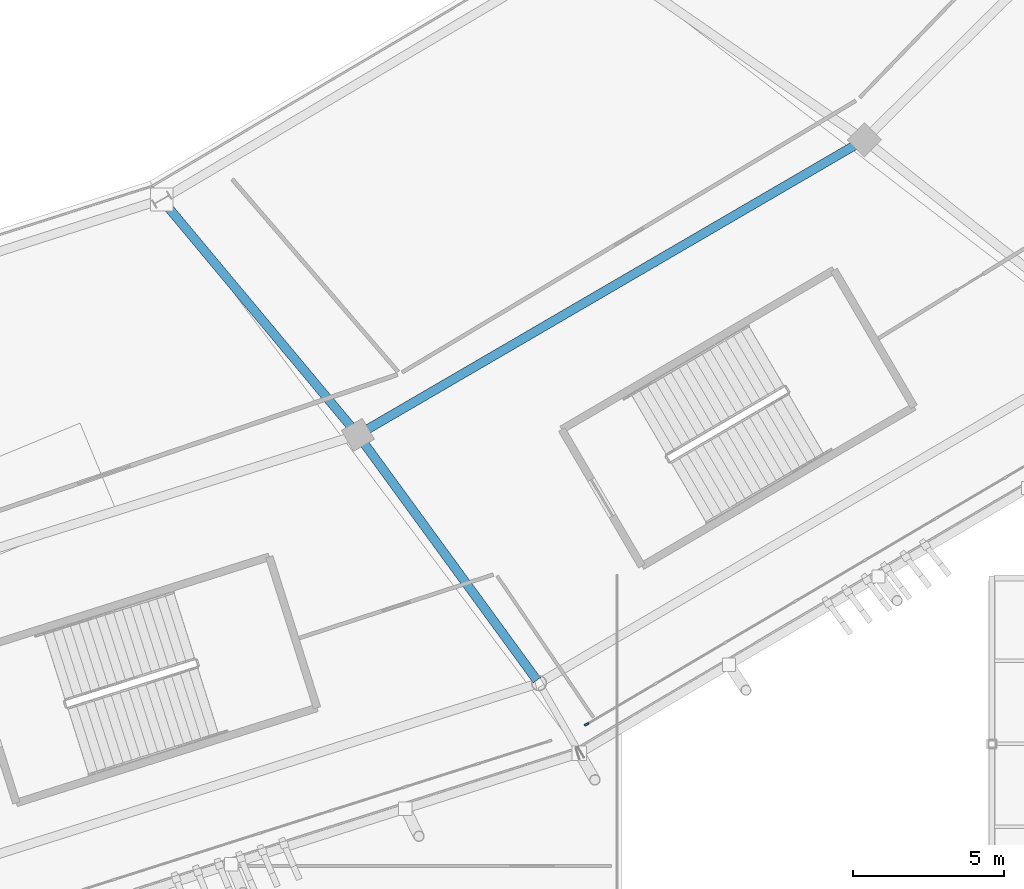
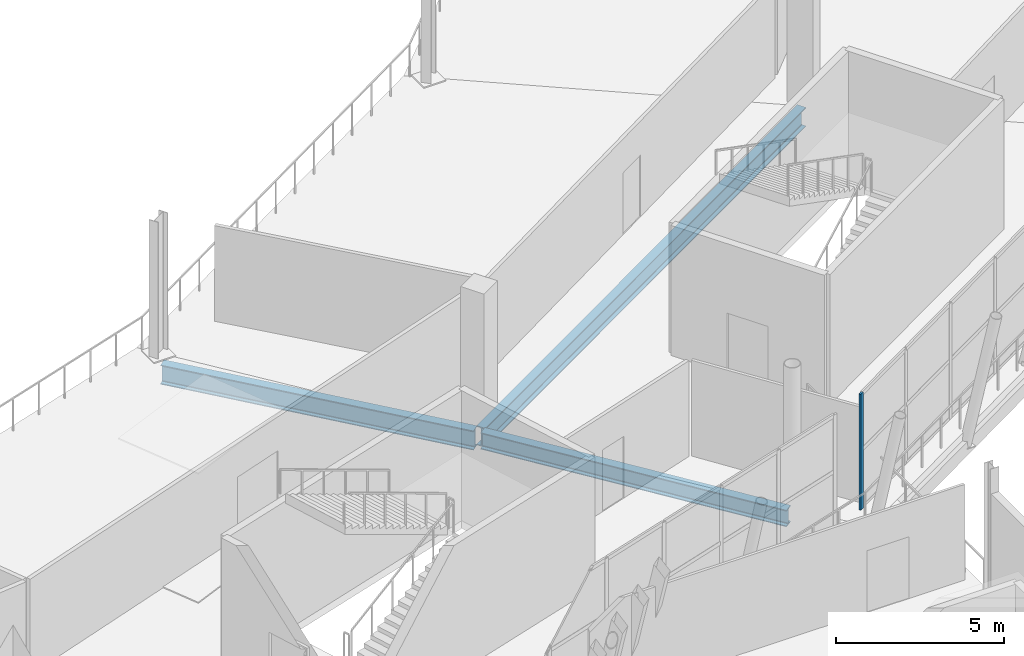
# One storey, part 52 of 179: 3 beams, 1 member, 1 element without a shape of its own.
"""IFC4 building model written with IfcOpenShell, lengths in metres."""

import ifcopenshell
import ifcopenshell.guid

model = None  # the IFC model being written
_history = None  # IfcOwnerHistory: only IFC2X3 demands one
_inside = {}  # id of a spatial element -> (the spatial element, [elements in it])
_under = {}  # id of a project, library or spatial element -> (it, [spatial elements below it])
_declared = {}  # id of a project -> (the project, [libraries it declares])
_typed = {}  # id of a type object -> (the type object, [elements of that type])
_made_of = {}  # id of a material, layer set ... -> (it, [elements and type objects made of it])


def new_model(schema):
    """Start an empty IFC model of exactly this schema.

    Asked for "IFC4X3", IfcOpenShell would pick the latest addendum, in which some entities
    have other attributes; the version numbers below select the first issue.
    IFC2X3 requires an IfcOwnerHistory on every rooted entity: one is made here for all.
    """
    global model, _history
    if schema == "IFC4X3":
        model = ifcopenshell.file(schema_version=(4, 3, 0, 0))
    else:
        model = ifcopenshell.file(schema=schema)
    _inside.clear()
    _under.clear()
    _declared.clear()
    _typed.clear()
    _made_of.clear()
    _history = None
    if model.schema == "IFC2X3":
        org = make("IfcOrganization", Name="unknown")
        user = make(
            "IfcPersonAndOrganization",
            ThePerson=make("IfcPerson", FamilyName="unknown"),
            TheOrganization=org,
        )
        app = make(
            "IfcApplication",
            ApplicationDeveloper=org,
            Version="unknown",
            ApplicationFullName="unknown",
            ApplicationIdentifier="unknown",
        )
        _history = make(
            "IfcOwnerHistory",
            OwningUser=user,
            OwningApplication=app,
            ChangeAction="ADDED",
            CreationDate=0,
        )
    return model


def make(cls, **values):
    """One entity of the class cls with the attributes given. An attribute that is None is left unset."""
    return model.create_entity(
        cls, **{name: value for name, value in values.items() if value is not None}
    )


def rooted(cls, **values):
    """An entity with a GlobalId (a new one), such as an element, a storey or a relation."""
    return make(cls, GlobalId=ifcopenshell.guid.new(), OwnerHistory=_history, **values)


def si_unit(unit_type, name, prefix=None):
    """IfcSIUnit, for example si_unit("LENGTHUNIT", "METRE", prefix="MILLI")."""
    return make("IfcSIUnit", UnitType=unit_type, Prefix=prefix, Name=name)


def assignment(units):
    """IfcUnitAssignment: the units of a project."""
    return None if units is None else make("IfcUnitAssignment", Units=units)


def point(xyz):
    """IfcCartesianPoint."""
    return None if xyz is None else make("IfcCartesianPoint", Coordinates=xyz)


def direction(xyz):
    """IfcDirection."""
    return None if xyz is None else make("IfcDirection", DirectionRatios=xyz)


def frame(location, z_axis=None, x_axis=None):
    """IfcAxis2Placement3D, a coordinate frame: its origin and axes. An axis left out is left unset."""
    return make(
        "IfcAxis2Placement3D",
        Location=point(location),
        Axis=direction(z_axis),
        RefDirection=direction(x_axis),
    )


def frame_2d(location, x_axis=None):
    """IfcAxis2Placement2D, a coordinate frame in the plane: its origin and x axis."""
    return make(
        "IfcAxis2Placement2D", Location=point(location), RefDirection=direction(x_axis)
    )


def origin():
    """The frame at (0, 0, 0) with its axes left unset."""
    return frame((0.0, 0.0, 0.0))


def origin_2d():
    """The frame at (0, 0) in the plane with its x axis left unset."""
    return frame_2d((0.0, 0.0))


def place(relative_to, where):
    """IfcLocalPlacement: puts the frame where relative to a parent placement (None: the world)."""
    return make(
        "IfcLocalPlacement", PlacementRelTo=relative_to, RelativePlacement=where
    )


def context(
    kind, dimensions, precision=None, world=None, true_north=None, identifier=None
):
    """IfcGeometricRepresentationContext, for example the 3D "Model" context."""
    return make(
        "IfcGeometricRepresentationContext",
        ContextIdentifier=identifier,
        ContextType=kind,
        CoordinateSpaceDimension=dimensions,
        Precision=precision,
        WorldCoordinateSystem=world,
        TrueNorth=true_north,
    )


def subcontext(parent, identifier, kind, view, scale=None):
    """IfcGeometricRepresentationSubContext, for example "Body" below "Model"."""
    return make(
        "IfcGeometricRepresentationSubContext",
        ContextIdentifier=identifier,
        ContextType=kind,
        ParentContext=parent,
        TargetScale=scale,
        TargetView=view,
    )


def project(units=None, contexts=None):
    """IfcProject with its units and contexts."""
    return rooted(
        "IfcProject",
        Name="project",
        RepresentationContexts=contexts,
        UnitsInContext=assignment(units),
    )


def spatial(cls, under=None, at=None, **own):
    """A site, building, storey or space (cls), placed at a placement, below another one or the project."""
    s = rooted(cls, ObjectPlacement=at, **own)
    if under is not None:
        _under.setdefault(under.id(), (under, []))[1].append(s)
    return s


def profile(cls, at=None, kind="AREA", **sizes):
    """A parametric profile (cls). Its sizes go by their IFC names, for example OverallWidth=200.0."""
    return make(cls, ProfileType=kind, Position=at, **sizes)


def rectangle(**sizes):
    """IfcRectangleProfileDef."""
    return profile("IfcRectangleProfileDef", **sizes)


def i_section(**sizes):
    """IfcIShapeProfileDef."""
    return profile("IfcIShapeProfileDef", **sizes)


def extrude(swept, where, along, depth):
    """IfcExtrudedAreaSolid: the profile swept, set in the frame where, extruded along a direction by depth."""
    return make(
        "IfcExtrudedAreaSolid",
        SweptArea=swept,
        Position=where,
        ExtrudedDirection=direction(along),
        Depth=depth,
    )


def shape(context_of_items, identifier, shape_type, items):
    """IfcShapeRepresentation: the items that make up one representation, for example the "Body"."""
    return make(
        "IfcShapeRepresentation",
        ContextOfItems=context_of_items,
        RepresentationIdentifier=identifier,
        RepresentationType=shape_type,
        Items=items,
    )


def material(Name=None, Category=None):
    """IfcMaterial."""
    return make("IfcMaterial", Name=Name, Category=Category)


def material_profile(
    of_material, cross_section, Name=None, Category=None, Priority=None
):
    """IfcMaterialProfile: a cross section and its material."""
    return make(
        "IfcMaterialProfile",
        Name=Name,
        Material=of_material,
        Profile=cross_section,
        Priority=Priority,
        Category=Category,
    )


def profile_set(profiles, Name=None, composite=None):
    """IfcMaterialProfileSet."""
    return make(
        "IfcMaterialProfileSet",
        Name=Name,
        MaterialProfiles=profiles,
        CompositeProfile=composite,
    )


def made_of(thing, what):
    """Note that an element or type object is made of a material, layer set ...; save() writes the relation."""
    if what is not None:
        _made_of.setdefault(what.id(), (what, []))[1].append(thing)
    return thing


def type_object(cls, material=None, **own):
    """A type object (cls), such as IfcWallType, which elements share."""
    return made_of(rooted(cls, **own), material)


def element(
    cls,
    number,
    at=None,
    inside=None,
    cuts=None,
    type_object=None,
    material=None,
    context=None,
    identifier="Body",
    shape_type=None,
    held_by="IfcProductDefinitionShape",
    body=None,
    shapes=None,
    **own,
):
    """One element of the class cls, such as IfcWall. Its Tag is "e" and its number.

    at: its placement. inside: the storey or other place that contains it. cuts: it is an
    opening in that element (IfcRelVoidsElement). A single representation is given by context,
    identifier, shape_type and body (its items); several are given by shapes. held_by: the class
    of the entity that holds the representations. save() writes the other relations.
    """
    e = rooted(cls, Tag="e%d" % number, ObjectPlacement=at, **own)
    if body is not None:
        shapes = [shape(context, identifier, shape_type, body)]
    if shapes is not None:
        e.Representation = make(held_by, Representations=shapes)
    if inside is not None:
        _inside.setdefault(inside.id(), (inside, []))[1].append(e)
    if cuts is not None:
        rooted(
            "IfcRelVoidsElement", RelatingBuildingElement=cuts, RelatedOpeningElement=e
        )
    if type_object is not None:
        _typed.setdefault(type_object.id(), (type_object, []))[1].append(e)
    return made_of(e, material)


def aggregate(whole, parts):
    """IfcRelAggregates: a whole, such as a stair, and the parts it consists of."""
    return rooted("IfcRelAggregates", RelatingObject=whole, RelatedObjects=parts)


def save(model, path):
    """Write the relations noted so far, then the file.

    IfcRelAggregates (storeys below a building ...), IfcRelContainedInSpatialStructure (elements
    in a storey), IfcRelDefinesByType, IfcRelAssociatesMaterial and IfcRelDeclares: one each for
    every whole, place, type object, material and project.
    """
    for whole, parts in _under.values():
        aggregate(whole, parts)
    for where, things in _inside.values():
        rooted(
            "IfcRelContainedInSpatialStructure",
            RelatedElements=things,
            RelatingStructure=where,
        )
    for kind, things in _typed.values():
        rooted("IfcRelDefinesByType", RelatedObjects=things, RelatingType=kind)
    for what, things in _made_of.values():
        rooted("IfcRelAssociatesMaterial", RelatedObjects=things, RelatingMaterial=what)
    for by, libraries in _declared.values():
        rooted("IfcRelDeclares", RelatingContext=by, RelatedDefinitions=libraries)
    model.write(path)


model = new_model("IFC4")

# Units and contexts
model_context = context("Model", 3, precision=1e-05, world=origin(), true_north=direction((0.0, 1.0)))
body_context = subcontext(model_context, "Body", "Model", "MODEL_VIEW")
ifc_project = project(units=[si_unit("LENGTHUNIT", "METRE"), si_unit("AREAUNIT", "SQUARE_METRE"), si_unit("VOLUMEUNIT", "CUBIC_METRE"), si_unit("PLANEANGLEUNIT", "RADIAN"), si_unit("MASSUNIT", "GRAM", prefix="KILO")], contexts=[model_context])

# Site, building, storey
site_placement = place(None, origin())
site = spatial("IfcSite", under=ifc_project, at=site_placement, CompositionType="ELEMENT")
building_placement = place(site_placement, origin())
building = spatial("IfcBuilding", under=site, at=building_placement, Name="Zlatoyarsky Gate Stadium", CompositionType="ELEMENT")
storey_placement = place(building_placement, frame((0.0, 0.0, 10.60009765625)))
storey = spatial("IfcBuildingStorey", under=building, at=storey_placement, Name="L02", CompositionType="ELEMENT", Elevation=10.60009765625)

# Curtain wall, member
ifc_material_1 = material(Name="Thermally broken anodised aluminium curtain wall", Category="aluminium")
curtain_wall_type = type_object("IfcCurtainWallType", Name="UNITISED HOSPITALITY GLAZING L02", PredefinedType="USERDEFINED", material=ifc_material_1)
curtain_wall_placement = place(storey_placement, origin())
curtain_wall = element("IfcCurtainWall", 1, at=curtain_wall_placement, inside=storey, type_object=curtain_wall_type, Name="Curtain wall CW-L02-20", ObjectType="UNITISED GLAZING", PredefinedType="USERDEFINED")
ifc_material_2 = material(Name="Anodised aluminium 6063-T6", Category="aluminium")
ifc_material_profile_1 = material_profile(ifc_material_2, rectangle(XDim=0.06494140625, YDim=0.159912109375, at=origin_2d()), Name="ALU 65X160")
ifc_profile_set_1 = profile_set([ifc_material_profile_1], Name="Anodised aluminium 6063-T6")
member_type = type_object("IfcMemberType", Name="ALUMINIUM MULLION 65X160", PredefinedType="MULLION", material=ifc_profile_set_1)
member_placement = place(storey_placement, frame((159.075927734375, 17.147705078125, 0.0), z_axis=(0.0, 0.0, 1.0), x_axis=(-0.507884392586, 0.861425239802, 0.0)))
member = element("IfcMember", 2, at=member_placement, type_object=member_type, Name="CW-UG2 mullion 1", PredefinedType="MULLION", context=body_context, shape_type="SweptSolid", body=[
    extrude(rectangle(XDim=0.06494140625, YDim=0.159912109375, at=origin_2d()), origin(), (0.0, 0.0, 1.0), 4.199951171875),
])
aggregate(curtain_wall, [member])

# Beams
ifc_material_3 = material(Name="Steel S355", Category="steel")
ifc_material_profile_2 = material_profile(ifc_material_3, i_section(OverallWidth=0.300048828125, OverallDepth=0.60009765625, WebThickness=0.015380859375, FlangeThickness=0.030029296875, FilletRadius=0.027099609375, at=origin_2d()), Name="HEB 600")
ifc_profile_set_2 = profile_set([ifc_material_profile_2], Name="Steel S355")
beam_type_1 = type_object("IfcBeamType", Name="STEEL PRIMARY GIRDER HEB 600", PredefinedType="BEAM", material=ifc_profile_set_2)
beam_1_placement = place(storey_placement, frame((151.57080078125, 26.642333984375, -0.580078125), z_axis=(0.589228266457, -0.807966614415, 0.0), x_axis=(0.807966614415, 0.589228266457, 0.0)))
element("IfcBeam", 3, at=beam_1_placement, inside=storey, type_object=beam_type_1, Name="Beam G-HEB600 BM-L02-RBC-20", PredefinedType="BEAM", context=body_context, shape_type="SweptSolid", body=[
    extrude(i_section(OverallWidth=0.300048828125, OverallDepth=0.60009765625, WebThickness=0.015380859375, FlangeThickness=0.030029296875, FilletRadius=0.027099609375, at=origin_2d()), origin(), (0.0, 0.0, 1.0), 9.9423828125),
])
ifc_material_profile_3 = material_profile(ifc_material_3, i_section(OverallWidth=0.300048828125, OverallDepth=0.699951171875, WebThickness=0.01708984375, FlangeThickness=0.031982421875, FilletRadius=0.027099609375, at=origin_2d()), Name="HEB 700")
ifc_profile_set_3 = profile_set([ifc_material_profile_3], Name="Steel S355")
beam_type_2 = type_object("IfcBeamType", Name="STEEL PRIMARY GIRDER HEB 700", PredefinedType="BEAM", material=ifc_profile_set_3)
beam_2_placement = place(storey_placement, frame((145.076904296875, 34.44140625, -0.630126953125), z_axis=(0.640460635814, -0.767990998627, 0.0), x_axis=(0.767990998627, 0.640460635814, 0.0)))
element("IfcBeam", 4, at=beam_2_placement, inside=storey, type_object=beam_type_2, Name="Beam G-HEB700 BM-L02-RAB-20", PredefinedType="BEAM", context=body_context, shape_type="SweptSolid", body=[
    extrude(i_section(OverallWidth=0.300048828125, OverallDepth=0.699951171875, WebThickness=0.01708984375, FlangeThickness=0.031982421875, FilletRadius=0.027099609375, at=origin_2d()), origin(), (0.0, 0.0, 1.0), 9.90869140625),
])
beam_3_placement = place(storey_placement, frame((151.603759765625, 26.7998046875, -0.630126953125), z_axis=(0.864054462945, 0.503398336375, 0.0), x_axis=(-0.503398336375, 0.864054462945, 0.0)))
element("IfcBeam", 5, at=beam_3_placement, inside=storey, type_object=beam_type_2, Name="Beam G-HEB700 BM-L02-CRB-20", PredefinedType="BEAM", context=body_context, shape_type="SweptSolid", body=[
    extrude(i_section(OverallWidth=0.300048828125, OverallDepth=0.699951171875, WebThickness=0.01708984375, FlangeThickness=0.031982421875, FilletRadius=0.027099609375, at=origin_2d()), origin(), (0.0, 0.0, 1.0), 19.1748046875),
])

save(model, "model.ifc")
